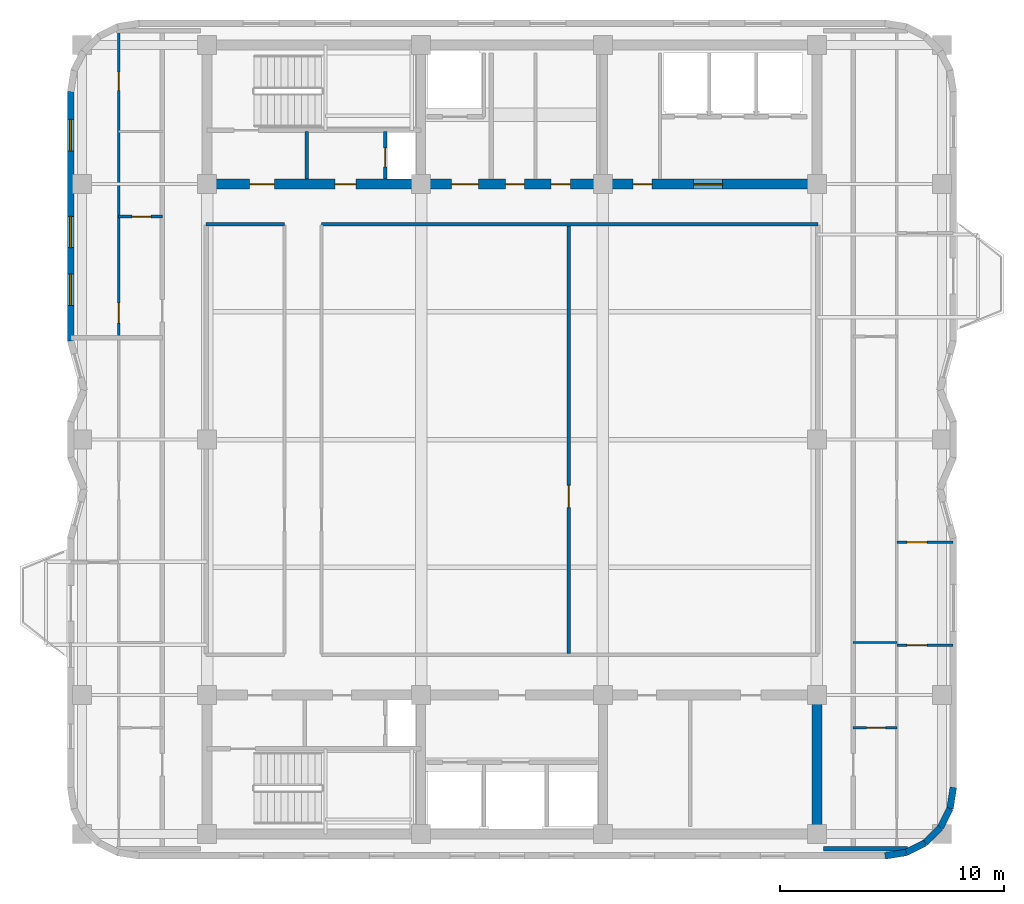
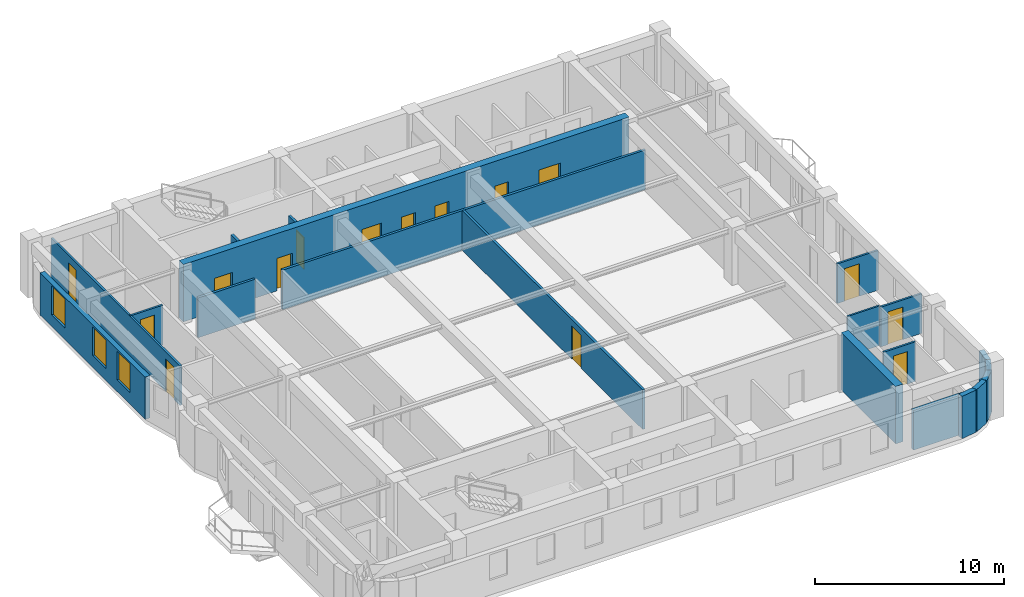
# One storey, part 4 of 8: 20 walls, 15 doors, 3 windows, 18 openings.
"""IFC4 building model written with IfcOpenShell, lengths in metres."""

from ifc_helpers import new_model, si_unit, direction, frame, frame_2d, origin, place, context, subcontext, project, spatial, rectangle, extrude, material, layer, layer_set, type_object, element, fill, save


model = new_model("IFC4")

# Units and contexts
model_context = context("Model", 3, precision=1e-05, world=origin(), true_north=direction((0.0, 1.0)))
body_context = subcontext(model_context, "Body", "Model", "MODEL_VIEW")
ifc_project = project(units=[si_unit("LENGTHUNIT", "METRE"), si_unit("AREAUNIT", "SQUARE_METRE"), si_unit("VOLUMEUNIT", "CUBIC_METRE"), si_unit("PLANEANGLEUNIT", "RADIAN"), si_unit("MASSUNIT", "GRAM", prefix="KILO")], contexts=[model_context])

# Site, building, storey
site_placement = place(None, origin())
site = spatial("IfcSite", under=ifc_project, at=site_placement, CompositionType="ELEMENT")
building_placement = place(site_placement, origin())
building = spatial("IfcBuilding", under=site, at=building_placement, Name="Svetorya Sky Lyceum", CompositionType="ELEMENT")
storey_placement = place(building_placement, frame((0.0, 0.0, 251.699951171875)))
storey = spatial("IfcBuildingStorey", under=building, at=storey_placement, Name="L63", CompositionType="ELEMENT", Elevation=251.699951171875)

# Wall
ifc_material_1 = material(Name="Concrete C50/60", Category="concrete")
ifc_layer_1 = layer(ifc_material_1, 0.449951171875)
ifc_layer_set_1 = layer_set([ifc_layer_1], Name="Concrete C50/60")
wall_type_1 = type_object("IfcWallType", Name="WL-CORE-450", PredefinedType="SHEAR", material=ifc_layer_set_1)
wall_1_placement = place(storey_placement, frame((52.800048828125, 10.824951171875, 0.0), z_axis=(0.0, 0.0, 1.0), x_axis=(0.0, 1.0, 0.0)))
element("IfcWall", 1, at=wall_1_placement, inside=storey, type_object=wall_type_1, Name="L63 SC East Core Shear Wall", PredefinedType="SHEAR", context=body_context, shape_type="SweptSolid", body=[
    extrude(rectangle(XDim=5.75, YDim=0.449951171875, at=frame_2d((2.875, 0.0))), origin(), (0.0, 0.0, 1.0), 3.699951171875),
])

# Wall, openings, doors
wall_2_placement = place(storey_placement, frame((52.800048828125, 39.60009765625, 0.0), z_axis=(0.0, 0.0, 1.0), x_axis=(-1.0, 0.0, 0.0)))
wall_2 = element("IfcWall", 2, at=wall_2_placement, inside=storey, type_object=wall_type_1, Name="L63 NC Inner Core Shear Wall", PredefinedType="SHEAR", context=body_context, shape_type="SweptSolid", body=[
    extrude(rectangle(XDim=27.199951171875, YDim=0.449951171875, at=frame_2d((13.60009765625, 0.0))), origin(), (0.0, 0.0, 1.0), 3.699951171875),
])
opening_1_placement = place(wall_2_placement, frame((24.199951171875, 0.0, 0.0)))
opening_1 = element("IfcOpeningElement", 3, at=opening_1_placement, cuts=wall_2, Name="Opening D-ST1", PredefinedType="OPENING", context=body_context, shape_type="SweptSolid", body=[
    extrude(rectangle(XDim=1.10009765625, YDim=2.14990234375, at=frame_2d((0.550048828125, 1.074951171875))), frame((0.0, 0.23486328125, 0.0), z_axis=(0.0, -1.0, 0.0), x_axis=(1.0, 0.0, 0.0)), (0.0, 0.0, 1.0), 0.469970703125),
])
opening_2_placement = place(wall_2_placement, frame((20.550048828125, 0.0, 0.0)))
opening_2 = element("IfcOpeningElement", 4, at=opening_2_placement, cuts=wall_2, Name="Opening D-CAC1", PredefinedType="OPENING", context=body_context, shape_type="SweptSolid", body=[
    extrude(rectangle(XDim=0.949951171875, YDim=2.10009765625, at=frame_2d((0.47509765625, 1.050048828125))), frame((0.0, 0.23486328125, 0.0), z_axis=(0.0, -1.0, 0.0), x_axis=(1.0, 0.0, 0.0)), (0.0, 0.0, 1.0), 0.469970703125),
])
opening_3_placement = place(wall_2_placement, frame((15.10009765625, 0.0, 0.0)))
opening_3 = element("IfcOpeningElement", 5, at=opening_3_placement, cuts=wall_2, Name="Opening D-FL1", PredefinedType="OPENING", context=body_context, shape_type="SweptSolid", body=[
    extrude(rectangle(XDim=1.199951171875, YDim=2.14990234375, at=frame_2d((0.60009765625, 1.074951171875))), frame((0.0, 0.23486328125, 0.0), z_axis=(0.0, -1.0, 0.0), x_axis=(1.0, 0.0, 0.0)), (0.0, 0.0, 1.0), 0.469970703125),
])
opening_4_placement = place(wall_2_placement, frame((13.050048828125, 0.0, 0.0)))
opening_4 = element("IfcOpeningElement", 6, at=opening_4_placement, cuts=wall_2, Name="Opening D-CWC1", PredefinedType="OPENING", context=body_context, shape_type="SweptSolid", body=[
    extrude(rectangle(XDim=0.85009765625, YDim=2.10009765625, at=frame_2d((0.425048828125, 1.050048828125))), frame((0.0, 0.23486328125, 0.0), z_axis=(0.0, -1.0, 0.0), x_axis=(1.0, 0.0, 0.0)), (0.0, 0.0, 1.0), 0.469970703125),
])
opening_5_placement = place(wall_2_placement, frame((11.0, 0.0, 0.0)))
opening_5 = element("IfcOpeningElement", 7, at=opening_5_placement, cuts=wall_2, Name="Opening D-CWC1", PredefinedType="OPENING", context=body_context, shape_type="SweptSolid", body=[
    extrude(rectangle(XDim=0.85009765625, YDim=2.10009765625, at=frame_2d((0.425048828125, 1.050048828125))), frame((0.0, 0.23486328125, 0.0), z_axis=(0.0, -1.0, 0.0), x_axis=(1.0, 0.0, 0.0)), (0.0, 0.0, 1.0), 0.469970703125),
])
opening_6_placement = place(wall_2_placement, frame((7.35009765625, 0.0, 0.0)))
opening_6 = element("IfcOpeningElement", 8, at=opening_6_placement, cuts=wall_2, Name="Opening D-CWC1", PredefinedType="OPENING", context=body_context, shape_type="SweptSolid", body=[
    extrude(rectangle(XDim=0.85009765625, YDim=2.10009765625, at=frame_2d((0.425048828125, 1.050048828125))), frame((0.0, 0.23486328125, 0.0), z_axis=(0.0, -1.0, 0.0), x_axis=(1.0, 0.0, 0.0)), (0.0, 0.0, 1.0), 0.469970703125),
])
opening_7_placement = place(wall_2_placement, frame((4.199951171875, 0.0, 0.0)))
opening_7 = element("IfcOpeningElement", 9, at=opening_7_placement, cuts=wall_2, Name="Opening D-LB1", PredefinedType="OPENING", context=body_context, shape_type="SweptSolid", body=[
    extrude(rectangle(XDim=1.300048828125, YDim=2.199951171875, at=frame_2d((0.64990234375, 1.10009765625))), frame((0.0, 0.23486328125, 0.0), z_axis=(0.0, -1.0, 0.0), x_axis=(1.0, 0.0, 0.0)), (0.0, 0.0, 1.0), 0.469970703125),
])
ifc_material_2 = material(Name="Fire-rated galvanized steel core accessible WC door", Category="steel")
door_type_1 = type_object("IfcDoorType", Name="DR-CACC-950", OperationType="SINGLE_SWING_LEFT", PredefinedType="DOOR", material=ifc_material_2)
door_1_placement = place(opening_2_placement, origin())
door_1 = element("IfcDoor", 10, at=door_1_placement, inside=storey, type_object=door_type_1, Name="L63 North Core Accessible WC Door", OperationType="SINGLE_SWING_RIGHT", OverallHeight=2.10009765625, OverallWidth=0.949951171875, PredefinedType="DOOR", context=body_context, shape_type="SweptSolid", body=[
    extrude(rectangle(XDim=0.949951171875, YDim=2.10009765625, at=frame_2d((0.47509765625, 1.050048828125))), frame((0.0, 0.02490234375, 0.0), z_axis=(0.0, -1.0, 0.0), x_axis=(1.0, 0.0, 0.0)), (0.0, 0.0, 1.0), 0.050048828125),
])
fill(opening_2, door_1)
ifc_material_3 = material(Name="Fire-rated galvanized steel core service closet door", Category="steel")
door_type_2 = type_object("IfcDoorType", Name="DR-CWET-850", OperationType="SINGLE_SWING_LEFT", PredefinedType="DOOR", material=ifc_material_3)
door_2_placement = place(opening_4_placement, origin())
door_2 = element("IfcDoor", 11, at=door_2_placement, inside=storey, type_object=door_type_2, Name="L63 Upper Linen Door", OperationType="SINGLE_SWING_LEFT", OverallHeight=2.10009765625, OverallWidth=0.85009765625, PredefinedType="DOOR", context=body_context, shape_type="SweptSolid", body=[
    extrude(rectangle(XDim=0.85009765625, YDim=2.10009765625, at=frame_2d((0.425048828125, 1.050048828125))), frame((0.0, 0.02490234375, 0.0), z_axis=(0.0, -1.0, 0.0), x_axis=(1.0, 0.0, 0.0)), (0.0, 0.0, 1.0), 0.050048828125),
])
fill(opening_4, door_2)
door_3_placement = place(opening_5_placement, origin())
door_3 = element("IfcDoor", 12, at=door_3_placement, inside=storey, type_object=door_type_2, Name="L63 Upper Laundry Door", OperationType="SINGLE_SWING_RIGHT", OverallHeight=2.10009765625, OverallWidth=0.85009765625, PredefinedType="DOOR", context=body_context, shape_type="SweptSolid", body=[
    extrude(rectangle(XDim=0.85009765625, YDim=2.10009765625, at=frame_2d((0.425048828125, 1.050048828125))), frame((0.0, 0.02490234375, 0.0), z_axis=(0.0, -1.0, 0.0), x_axis=(1.0, 0.0, 0.0)), (0.0, 0.0, 1.0), 0.050048828125),
])
fill(opening_5, door_3)
door_4_placement = place(opening_6_placement, origin())
door_4 = element("IfcDoor", 13, at=door_4_placement, inside=storey, type_object=door_type_2, Name="L63 High-Zone Utility Room Door", OperationType="SINGLE_SWING_LEFT", OverallHeight=2.10009765625, OverallWidth=0.85009765625, PredefinedType="DOOR", context=body_context, shape_type="SweptSolid", body=[
    extrude(rectangle(XDim=0.85009765625, YDim=2.10009765625, at=frame_2d((0.425048828125, 1.050048828125))), frame((0.0, 0.02490234375, 0.0), z_axis=(0.0, -1.0, 0.0), x_axis=(1.0, 0.0, 0.0)), (0.0, 0.0, 1.0), 0.050048828125),
])
fill(opening_6, door_4)
ifc_material_4 = material(Name="Powder-coated insulated galvanized stair fire door")
door_type_3 = type_object("IfcDoorType", Name="DR-FIRE-1100", OperationType="SINGLE_SWING_LEFT", PredefinedType="DOOR", material=ifc_material_4)
door_5_placement = place(opening_1_placement, origin())
door_5 = element("IfcDoor", 14, at=door_5_placement, inside=storey, type_object=door_type_3, Name="L63 North Stair Airlock Door", OperationType="SINGLE_SWING_LEFT", OverallHeight=2.14990234375, OverallWidth=1.10009765625, PredefinedType="DOOR", context=body_context, shape_type="SweptSolid", body=[
    extrude(rectangle(XDim=1.10009765625, YDim=2.14990234375, at=frame_2d((0.550048828125, 1.074951171875))), frame((0.0, 0.02490234375, 0.0), z_axis=(0.0, -1.0, 0.0), x_axis=(1.0, 0.0, 0.0)), (0.0, 0.0, 1.0), 0.050048828125),
])
fill(opening_1, door_5)
ifc_material_5 = material(Name="Powder-coated insulated galvanized fire door")
door_type_4 = type_object("IfcDoorType", Name="DR-FIRE-1200", OperationType="SINGLE_SWING_LEFT", PredefinedType="DOOR", material=ifc_material_5)
door_6_placement = place(opening_3_placement, origin())
door_6 = element("IfcDoor", 15, at=door_6_placement, inside=storey, type_object=door_type_4, Name="L63 North Firefighting Lift Lobby Door", OperationType="SINGLE_SWING_RIGHT", OverallHeight=2.14990234375, OverallWidth=1.199951171875, PredefinedType="DOOR", context=body_context, shape_type="SweptSolid", body=[
    extrude(rectangle(XDim=1.199951171875, YDim=2.14990234375, at=frame_2d((0.60009765625, 1.074951171875))), frame((0.0, 0.02490234375, 0.0), z_axis=(0.0, -1.0, 0.0), x_axis=(1.0, 0.0, 0.0)), (0.0, 0.0, 1.0), 0.050048828125),
])
fill(opening_3, door_6)
ifc_material_6 = material(Name="Glazed fire-rated aluminium lobby door", Category="aluminium")
door_type_5 = type_object("IfcDoorType", Name="DR-LOB-1300", OperationType="SINGLE_SWING_LEFT", PredefinedType="DOOR", material=ifc_material_6)
door_7_placement = place(opening_7_placement, origin())
door_7 = element("IfcDoor", 16, at=door_7_placement, inside=storey, type_object=door_type_5, Name="L63 North Passenger Lift Lobby Door", OperationType="SINGLE_SWING_LEFT", OverallHeight=2.199951171875, OverallWidth=1.300048828125, PredefinedType="DOOR", context=body_context, shape_type="SweptSolid", body=[
    extrude(rectangle(XDim=1.300048828125, YDim=2.199951171875, at=frame_2d((0.64990234375, 1.10009765625))), frame((0.0, 0.02490234375, 0.0), z_axis=(0.0, -1.0, 0.0), x_axis=(1.0, 0.0, 0.0)), (0.0, 0.0, 1.0), 0.050048828125),
])
fill(opening_7, door_7)

# Walls
ifc_material_7 = material(Name="Putilovo limestone rainscreen on autoclaved cellular masonry", Category="masonry")
ifc_layer_2 = layer(ifc_material_7, 0.300048828125)
ifc_layer_set_2 = layer_set([ifc_layer_2], Name="Putilovo limestone rainscreen on autoclaved cellular masonry")
wall_type_2 = type_object("IfcWallType", Name="WL-EXT-300", PredefinedType="SOLIDWALL", material=ifc_layer_set_2)
wall_3_placement = place(storey_placement, frame((55.840087890625, 9.6298828125, 0.0), z_axis=(0.0, 0.0, 1.0), x_axis=(0.987663181641, 0.156593229835, 0.0)))
element("IfcWall", 17, at=wall_3_placement, inside=storey, type_object=wall_type_2, Name="L63 Limestone Exterior Wall 7M", PredefinedType="SOLIDWALL", context=body_context, shape_type="SweptSolid", body=[
    extrude(rectangle(XDim=0.9541015625, YDim=0.300048828125, at=frame_2d((0.47705078125, 0.0))), origin(), (0.0, 0.0, 1.0), 2.72998046875),
])
for number, where, z_axis, x_axis, name in (
    (18, (56.782470703125, 9.779296875, 0.0), (0.0, 0.0, 1.0), (0.891076589373, 0.453852962833, 0.0), "L63 Limestone Exterior Wall 8M"),
    (19, (57.6328125, 10.21240234375, 0.0), (0.0, 0.0, 1.0), (0.707106781187, 0.707106781187, 0.0), "L63 Limestone Exterior Wall 9M"),
    (20, (58.3076171875, 10.88720703125, 0.0), (0.0, 0.0, 1.0), (0.453852962833, 0.891076589373, 0.0), "L63 Limestone Exterior Wall 10M"),
):
    element("IfcWall", number, at=place(storey_placement, frame(where, z_axis=z_axis, x_axis=x_axis)), inside=storey, type_object=wall_type_2, Name=name, PredefinedType="SOLIDWALL", context=body_context, shape_type="SweptSolid", body=[
        extrude(rectangle(XDim=0.954345703125, YDim=0.300048828125, at=frame_2d((0.47705078125, 0.0))), origin(), (0.0, 0.0, 1.0), 2.72998046875),
    ])
wall_4_placement = place(storey_placement, frame((58.74072265625, 11.737548828125, 0.0), z_axis=(0.0, 0.0, 1.0), x_axis=(0.156343617883, 0.987702725088, 0.0)))
element("IfcWall", 21, at=wall_4_placement, inside=storey, type_object=wall_type_2, Name="L63 Limestone Exterior Wall 11M", PredefinedType="SOLIDWALL", context=body_context, shape_type="SweptSolid", body=[
    extrude(rectangle(XDim=0.9541015625, YDim=0.300048828125, at=frame_2d((0.47705078125, 0.0))), origin(), (0.0, 0.0, 1.0), 2.72998046875),
])

# Wall, openings, windows
wall_5_placement = place(storey_placement, frame((19.510009765625, 43.719970703125, 0.0), z_axis=(0.0, 0.0, 1.0), x_axis=(0.0, -1.0, 0.0)))
wall_5 = element("IfcWall", 22, at=wall_5_placement, inside=storey, type_object=wall_type_2, Name="L63 Limestone Exterior Wall 30M", PredefinedType="SOLIDWALL", context=body_context, shape_type="SweptSolid", body=[
    extrude(rectangle(XDim=11.119873046875, YDim=0.300048828125, at=frame_2d((5.56005859375, 0.0))), origin(), (0.0, 0.0, 1.0), 2.72998046875),
])
opening_8_placement = place(wall_5_placement, frame((1.23681640625, 0.0, 0.760009765625)))
opening_8 = element("IfcOpeningElement", 23, at=opening_8_placement, cuts=wall_5, Name="Opening W-R2", PredefinedType="OPENING", context=body_context, shape_type="SweptSolid", body=[
    extrude(rectangle(XDim=1.39990234375, YDim=1.85009765625, at=frame_2d((0.699951171875, 0.925048828125))), frame((0.0, 0.159912109375, 0.0), z_axis=(0.0, -1.0, 0.0), x_axis=(1.0, 0.0, 0.0)), (0.0, 0.0, 1.0), 0.320068359375),
])
opening_9_placement = place(wall_5_placement, frame((5.56005859375, 0.0, 0.760009765625)))
opening_9 = element("IfcOpeningElement", 24, at=opening_9_placement, cuts=wall_5, Name="Opening W-R2", PredefinedType="OPENING", context=body_context, shape_type="SweptSolid", body=[
    extrude(rectangle(XDim=1.39990234375, YDim=1.85009765625, at=frame_2d((0.699951171875, 0.925048828125))), frame((0.0, 0.159912109375, 0.0), z_axis=(0.0, -1.0, 0.0), x_axis=(1.0, 0.0, 0.0)), (0.0, 0.0, 1.0), 0.320068359375),
])
opening_10_placement = place(wall_5_placement, frame((8.13330078125, 0.0, 0.760009765625)))
opening_10 = element("IfcOpeningElement", 25, at=opening_10_placement, cuts=wall_5, Name="Opening W-R2", PredefinedType="OPENING", context=body_context, shape_type="SweptSolid", body=[
    extrude(rectangle(XDim=1.39990234375, YDim=1.85009765625, at=frame_2d((0.699951171875, 0.925048828125))), frame((0.0, 0.159912109375, 0.0), z_axis=(0.0, -1.0, 0.0), x_axis=(1.0, 0.0, 0.0)), (0.0, 0.0, 1.0), 0.320068359375),
])
ifc_material_8 = material(Name="Thermally broken aluminium frame with triple low-E glazing", Category="aluminium")
window_type = type_object("IfcWindowType", Name="WN-RES-140", PartitioningType="SINGLE_PANEL", PredefinedType="WINDOW", material=ifc_material_8)
window_1_placement = place(opening_8_placement, origin())
window_1 = element("IfcWindow", 26, at=window_1_placement, inside=storey, type_object=window_type, Name="L63 Facade Window W-R2.30M.1", OverallHeight=1.85009765625, OverallWidth=1.39990234375, PartitioningType="SINGLE_PANEL", PredefinedType="WINDOW", context=body_context, shape_type="SweptSolid", body=[
    extrude(rectangle(XDim=1.39990234375, YDim=1.85009765625, at=frame_2d((0.699951171875, 0.925048828125))), frame((0.0, 0.030029296875, 0.0), z_axis=(0.0, -1.0, 0.0), x_axis=(1.0, 0.0, 0.0)), (0.0, 0.0, 1.0), 0.06005859375),
])
fill(opening_8, window_1)
window_2_placement = place(opening_9_placement, origin())
window_2 = element("IfcWindow", 27, at=window_2_placement, inside=storey, type_object=window_type, Name="L63 Facade Window W-R2.30M.2", OverallHeight=1.85009765625, OverallWidth=1.39990234375, PartitioningType="SINGLE_PANEL", PredefinedType="WINDOW", context=body_context, shape_type="SweptSolid", body=[
    extrude(rectangle(XDim=1.39990234375, YDim=1.85009765625, at=frame_2d((0.699951171875, 0.925048828125))), frame((0.0, 0.030029296875, 0.0), z_axis=(0.0, -1.0, 0.0), x_axis=(1.0, 0.0, 0.0)), (0.0, 0.0, 1.0), 0.06005859375),
])
fill(opening_9, window_2)
window_3_placement = place(opening_10_placement, origin())
window_3 = element("IfcWindow", 28, at=window_3_placement, inside=storey, type_object=window_type, Name="L63 Facade Window W-R2.30M.3", OverallHeight=1.85009765625, OverallWidth=1.39990234375, PartitioningType="SINGLE_PANEL", PredefinedType="WINDOW", context=body_context, shape_type="SweptSolid", body=[
    extrude(rectangle(XDim=1.39990234375, YDim=1.85009765625, at=frame_2d((0.699951171875, 0.925048828125))), frame((0.0, 0.030029296875, 0.0), z_axis=(0.0, -1.0, 0.0), x_axis=(1.0, 0.0, 0.0)), (0.0, 0.0, 1.0), 0.06005859375),
])
fill(opening_10, window_3)

# Wall
ifc_material_9 = material(Name="Galvanized stud partition with moisture-resistant board", Category="gypsum")
ifc_layer_3 = layer(ifc_material_9, 0.10009765625)
ifc_layer_set_3 = layer_set([ifc_layer_3], Name="Galvanized stud partition with moisture-resistant board")
wall_type_3 = type_object("IfcWallType", Name="WL-PART-100", PredefinedType="PARTITIONING", material=ifc_layer_set_3)
wall_6_placement = place(storey_placement, frame((54.419921875, 19.14990234375, 0.0), z_axis=(0.0, 0.0, 1.0), x_axis=(1.0, 0.0, 0.0)))
element("IfcWall", 29, at=wall_6_placement, inside=storey, type_object=wall_type_3, Name="L63 Interior Partition E1-WH2", PredefinedType="PARTITIONING", context=body_context, shape_type="SweptSolid", body=[
    extrude(rectangle(XDim=1.9501953125, YDim=0.10009765625, at=frame_2d((0.97509765625, 0.0))), origin(), (0.0, 0.0, 1.0), 2.56005859375),
])

# Wall, opening, door
ifc_material_10 = material(Name="Twin-stud galvanized framing with double fireboard", Category="gypsum")
ifc_layer_4 = layer(ifc_material_10, 0.1201171875)
ifc_layer_set_4 = layer_set([ifc_layer_4], Name="Twin-stud galvanized framing with double fireboard")
wall_type_4 = type_object("IfcWallType", Name="WL-PART-120", PredefinedType="PARTITIONING", material=ifc_layer_set_4)
wall_7_placement = place(storey_placement, frame((21.64990234375, 38.14990234375, 0.0), z_axis=(0.0, 0.0, 1.0), x_axis=(1.0, 0.0, 0.0)))
wall_7 = element("IfcWall", 30, at=wall_7_placement, inside=storey, type_object=wall_type_4, Name="L63 Interior Partition W2-WH1", PredefinedType="PARTITIONING", context=body_context, shape_type="SweptSolid", body=[
    extrude(rectangle(XDim=1.9501953125, YDim=0.1201171875, at=frame_2d((0.97509765625, 0.0))), origin(), (0.0, 0.0, 1.0), 2.56005859375),
])
opening_11_placement = place(wall_7_placement, frame((0.60009765625, 0.0, 0.0)))
opening_11 = element("IfcOpeningElement", 31, at=opening_11_placement, cuts=wall_7, Name="Opening D-BT1", PredefinedType="OPENING", context=body_context, shape_type="SweptSolid", body=[
    extrude(rectangle(XDim=0.85009765625, YDim=2.10009765625, at=frame_2d((0.425048828125, 1.050048828125))), frame((0.0, 0.070068359375, 0.0), z_axis=(0.0, -1.0, 0.0), x_axis=(1.0, 0.0, 0.0)), (0.0, 0.0, 1.0), 0.14013671875),
])
ifc_material_11 = material(Name="Moisture-resistant laminate bathroom door")
door_type_6 = type_object("IfcDoorType", Name="DR-WET-850", OperationType="SINGLE_SWING_LEFT", PredefinedType="DOOR", material=ifc_material_11)
door_8_placement = place(opening_11_placement, origin())
door_8 = element("IfcDoor", 32, at=door_8_placement, inside=storey, type_object=door_type_6, Name="Apartment W2 Bathroom Door", OperationType="SINGLE_SWING_RIGHT", OverallHeight=2.10009765625, OverallWidth=0.85009765625, PredefinedType="DOOR", context=body_context, shape_type="SweptSolid", body=[
    extrude(rectangle(XDim=0.85009765625, YDim=2.10009765625, at=frame_2d((0.425048828125, 1.050048828125))), frame((0.0, 0.02490234375, 0.0), z_axis=(0.0, -1.0, 0.0), x_axis=(1.0, 0.0, 0.0)), (0.0, 0.0, 1.0), 0.050048828125),
])
fill(opening_11, door_8)

# Wall, openings, doors
wall_8_placement = place(storey_placement, frame((21.64990234375, 32.7900390625, 0.0), z_axis=(0.0, 0.0, 1.0), x_axis=(0.0, 1.0, 0.0)))
wall_8 = element("IfcWall", 33, at=wall_8_placement, inside=storey, type_object=wall_type_4, Name="L63 Interior Partition W2-WV", PredefinedType="PARTITIONING", context=body_context, shape_type="SweptSolid", body=[
    extrude(rectangle(XDim=13.619873046875, YDim=0.1201171875, at=frame_2d((6.81005859375, 0.0))), origin(), (0.0, 0.0, 1.0), 2.56005859375),
])
opening_12_placement = place(wall_8_placement, frame((0.610107421875, 0.0, 0.0)))
opening_12 = element("IfcOpeningElement", 34, at=opening_12_placement, cuts=wall_8, Name="Opening D-RM1", PredefinedType="OPENING", context=body_context, shape_type="SweptSolid", body=[
    extrude(rectangle(XDim=0.89990234375, YDim=2.10009765625, at=frame_2d((0.449951171875, 1.050048828125))), frame((0.0, 0.070068359375, 0.0), z_axis=(0.0, -1.0, 0.0), x_axis=(1.0, 0.0, 0.0)), (0.0, 0.0, 1.0), 0.14013671875),
])
opening_13_placement = place(wall_8_placement, frame((10.985107421875, 0.0, 0.0)))
opening_13 = element("IfcOpeningElement", 35, at=opening_13_placement, cuts=wall_8, Name="Opening D-BT2", PredefinedType="OPENING", context=body_context, shape_type="SweptSolid", body=[
    extrude(rectangle(XDim=0.820068359375, YDim=2.080078125, at=frame_2d((0.41015625, 1.0400390625))), frame((0.0, 0.070068359375, 0.0), z_axis=(0.0, -1.0, 0.0), x_axis=(1.0, 0.0, 0.0)), (0.0, 0.0, 1.0), 0.14013671875),
])
ifc_material_12 = material(Name="Lacquered birch veneer internal door")
door_type_7 = type_object("IfcDoorType", Name="DR-INT-900", OperationType="SINGLE_SWING_LEFT", PredefinedType="DOOR", material=ifc_material_12)
door_9_placement = place(opening_12_placement, origin())
door_9 = element("IfcDoor", 36, at=door_9_placement, inside=storey, type_object=door_type_7, Name="Apartment W2 Living Door", OperationType="SINGLE_SWING_LEFT", OverallHeight=2.10009765625, OverallWidth=0.89990234375, PredefinedType="DOOR", context=body_context, shape_type="SweptSolid", body=[
    extrude(rectangle(XDim=0.89990234375, YDim=2.10009765625, at=frame_2d((0.449951171875, 1.050048828125))), frame((0.0, 0.02490234375, 0.0), z_axis=(0.0, -1.0, 0.0), x_axis=(1.0, 0.0, 0.0)), (0.0, 0.0, 1.0), 0.050048828125),
])
fill(opening_12, door_9)
ifc_material_13 = material(Name="Compact moisture-resistant laminate closet door")
door_type_8 = type_object("IfcDoorType", Name="DR-WET-820", OperationType="SINGLE_SWING_LEFT", PredefinedType="DOOR", material=ifc_material_13)
door_10_placement = place(opening_13_placement, origin())
door_10 = element("IfcDoor", 37, at=door_10_placement, inside=storey, type_object=door_type_8, Name="Apartment W2 Study Door", OperationType="SINGLE_SWING_RIGHT", OverallHeight=2.080078125, OverallWidth=0.820068359375, PredefinedType="DOOR", context=body_context, shape_type="SweptSolid", body=[
    extrude(rectangle(XDim=0.820068359375, YDim=2.080078125, at=frame_2d((0.41015625, 1.0400390625))), frame((0.0, 0.02490234375, 0.0), z_axis=(0.0, -1.0, 0.0), x_axis=(1.0, 0.0, 0.0)), (0.0, 0.0, 1.0), 0.050048828125),
])
fill(opening_13, door_10)

# Wall, opening, door
wall_9_placement = place(storey_placement, frame((54.419921875, 15.35009765625, 0.0), z_axis=(0.0, 0.0, 1.0), x_axis=(1.0, 0.0, 0.0)))
wall_9 = element("IfcWall", 38, at=wall_9_placement, inside=storey, type_object=wall_type_4, Name="L63 Interior Partition E1-WH1", PredefinedType="PARTITIONING", context=body_context, shape_type="SweptSolid", body=[
    extrude(rectangle(XDim=1.9501953125, YDim=0.1201171875, at=frame_2d((0.97509765625, 0.0))), origin(), (0.0, 0.0, 1.0), 2.56005859375),
])
opening_14_placement = place(wall_9_placement, frame((0.60009765625, 0.0, 0.0)))
opening_14 = element("IfcOpeningElement", 39, at=opening_14_placement, cuts=wall_9, Name="Opening D-BT1", PredefinedType="OPENING", context=body_context, shape_type="SweptSolid", body=[
    extrude(rectangle(XDim=0.85009765625, YDim=2.10009765625, at=frame_2d((0.425048828125, 1.050048828125))), frame((0.0, 0.070068359375, 0.0), z_axis=(0.0, -1.0, 0.0), x_axis=(1.0, 0.0, 0.0)), (0.0, 0.0, 1.0), 0.14013671875),
])
door_11_placement = place(opening_14_placement, origin())
door_11 = element("IfcDoor", 40, at=door_11_placement, inside=storey, type_object=door_type_6, Name="Apartment E1 Bathroom Door", OperationType="SINGLE_SWING_RIGHT", OverallHeight=2.10009765625, OverallWidth=0.85009765625, PredefinedType="DOOR", context=body_context, shape_type="SweptSolid", body=[
    extrude(rectangle(XDim=0.85009765625, YDim=2.10009765625, at=frame_2d((0.425048828125, 1.050048828125))), frame((0.0, 0.02490234375, 0.0), z_axis=(0.0, -1.0, 0.0), x_axis=(1.0, 0.0, 0.0)), (0.0, 0.0, 1.0), 0.050048828125),
])
fill(opening_14, door_11)

wall_10_placement = place(storey_placement, frame((56.3701171875, 19.02001953125, 0.0), z_axis=(0.0, 0.0, 1.0), x_axis=(1.0, 0.0, 0.0)))
wall_10 = element("IfcWall", 41, at=wall_10_placement, inside=storey, type_object=wall_type_4, Name="L63 Interior Partition E1-WL1", PredefinedType="PARTITIONING", context=body_context, shape_type="SweptSolid", body=[
    extrude(rectangle(XDim=2.5, YDim=0.1201171875, at=frame_2d((1.25, 0.0))), origin(), (0.0, 0.0, 1.0), 2.56005859375),
])
opening_15_placement = place(wall_10_placement, frame((0.449951171875, 0.0, 0.0)))
opening_15 = element("IfcOpeningElement", 42, at=opening_15_placement, cuts=wall_10, Name="Opening D-RM1", PredefinedType="OPENING", context=body_context, shape_type="SweptSolid", body=[
    extrude(rectangle(XDim=0.89990234375, YDim=2.10009765625, at=frame_2d((0.449951171875, 1.050048828125))), frame((0.0, 0.070068359375, 0.0), z_axis=(0.0, -1.0, 0.0), x_axis=(1.0, 0.0, 0.0)), (0.0, 0.0, 1.0), 0.14013671875),
])
door_12_placement = place(opening_15_placement, origin())
door_12 = element("IfcDoor", 43, at=door_12_placement, inside=storey, type_object=door_type_7, Name="Apartment E1 Master Bedroom Door", OperationType="SINGLE_SWING_RIGHT", OverallHeight=2.10009765625, OverallWidth=0.89990234375, PredefinedType="DOOR", context=body_context, shape_type="SweptSolid", body=[
    extrude(rectangle(XDim=0.89990234375, YDim=2.10009765625, at=frame_2d((0.449951171875, 1.050048828125))), frame((0.0, 0.02490234375, 0.0), z_axis=(0.0, -1.0, 0.0), x_axis=(1.0, 0.0, 0.0)), (0.0, 0.0, 1.0), 0.050048828125),
])
fill(opening_15, door_12)

wall_11_placement = place(storey_placement, frame((56.3701171875, 23.6201171875, 0.0), z_axis=(0.0, 0.0, 1.0), x_axis=(1.0, 0.0, 0.0)))
wall_11 = element("IfcWall", 44, at=wall_11_placement, inside=storey, type_object=wall_type_4, Name="L63 Interior Partition E1-WL2", PredefinedType="PARTITIONING", context=body_context, shape_type="SweptSolid", body=[
    extrude(rectangle(XDim=2.5, YDim=0.1201171875, at=frame_2d((1.25, 0.0))), origin(), (0.0, 0.0, 1.0), 2.56005859375),
])
opening_16_placement = place(wall_11_placement, frame((0.449951171875, 0.0, 0.0)))
opening_16 = element("IfcOpeningElement", 45, at=opening_16_placement, cuts=wall_11, Name="Opening D-RM1", PredefinedType="OPENING", context=body_context, shape_type="SweptSolid", body=[
    extrude(rectangle(XDim=0.89990234375, YDim=2.10009765625, at=frame_2d((0.449951171875, 1.050048828125))), frame((0.0, 0.070068359375, 0.0), z_axis=(0.0, -1.0, 0.0), x_axis=(1.0, 0.0, 0.0)), (0.0, 0.0, 1.0), 0.14013671875),
])
door_13_placement = place(opening_16_placement, origin())
door_13 = element("IfcDoor", 46, at=door_13_placement, inside=storey, type_object=door_type_7, Name="Apartment E1 Bedroom 2 Door", OperationType="SINGLE_SWING_LEFT", OverallHeight=2.10009765625, OverallWidth=0.89990234375, PredefinedType="DOOR", context=body_context, shape_type="SweptSolid", body=[
    extrude(rectangle(XDim=0.89990234375, YDim=2.10009765625, at=frame_2d((0.449951171875, 1.050048828125))), frame((0.0, 0.02490234375, 0.0), z_axis=(0.0, -1.0, 0.0), x_axis=(1.0, 0.0, 0.0)), (0.0, 0.0, 1.0), 0.050048828125),
])
fill(opening_16, door_13)

ifc_material_14 = material(Name="Autoclaved cellular masonry blockwork with acoustic render", Category="masonry")
ifc_layer_5 = layer(ifc_material_14, 0.14990234375)
ifc_layer_set_5 = layer_set([ifc_layer_5], Name="Autoclaved cellular masonry blockwork with acoustic render")
wall_type_5 = type_object("IfcWallType", Name="WL-PART-150", PredefinedType="PARTITIONING", material=ifc_layer_set_5)
wall_12_placement = place(storey_placement, frame((33.550048828125, 39.820068359375, 0.0), z_axis=(0.0, 0.0, 1.0), x_axis=(0.0, 1.0, 0.0)))
wall_12 = element("IfcWall", 47, at=wall_12_placement, inside=storey, type_object=wall_type_5, Name="L63 Interior Partition NC-RSRW", PredefinedType="PARTITIONING", context=body_context, shape_type="SweptSolid", body=[
    extrude(rectangle(XDim=2.1298828125, YDim=0.14990234375, at=frame_2d((1.06494140625, 0.0))), origin(), (0.0, 0.0, 1.0), 2.56005859375),
])
opening_17_placement = place(wall_12_placement, frame((0.550048828125, 0.0, 0.0)))
opening_17 = element("IfcOpeningElement", 48, at=opening_17_placement, cuts=wall_12, Name="Opening D-SH1", PredefinedType="OPENING", context=body_context, shape_type="SweptSolid", body=[
    extrude(rectangle(XDim=0.85009765625, YDim=2.050048828125, at=frame_2d((0.425048828125, 1.02490234375))), frame((0.0, 0.0849609375, 0.0), z_axis=(0.0, -1.0, 0.0), x_axis=(1.0, 0.0, 0.0)), (0.0, 0.0, 1.0), 0.169921875),
])
ifc_material_15 = material(Name="Insulated galvanized riser inspection fire door")
door_type_9 = type_object("IfcDoorType", Name="DR-SHFT-850", OperationType="SINGLE_SWING_LEFT", PredefinedType="TRAPDOOR", material=ifc_material_15)
door_14_placement = place(opening_17_placement, origin())
door_14 = element("IfcDoor", 49, at=door_14_placement, inside=storey, type_object=door_type_9, Name="L63 North Riser Access Door", OperationType="SINGLE_SWING_LEFT", OverallHeight=2.050048828125, OverallWidth=0.85009765625, PredefinedType="TRAPDOOR", context=body_context, shape_type="SweptSolid", body=[
    extrude(rectangle(XDim=0.85009765625, YDim=2.050048828125, at=frame_2d((0.425048828125, 1.02490234375))), frame((0.0, 0.02490234375, 0.0), z_axis=(0.0, -1.0, 0.0), x_axis=(1.0, 0.0, 0.0)), (0.0, 0.0, 1.0), 0.050048828125),
])
fill(opening_17, door_14)

# Walls
wall_13_placement = place(storey_placement, frame((30.050048828125, 39.820068359375, 0.0), z_axis=(0.0, 0.0, 1.0), x_axis=(0.0, 1.0, 0.0)))
element("IfcWall", 50, at=wall_13_placement, inside=storey, type_object=wall_type_5, Name="L63 Interior Partition NC-NWD1", PredefinedType="PARTITIONING", context=body_context, shape_type="SweptSolid", body=[
    extrude(rectangle(XDim=2.1298828125, YDim=0.14990234375, at=frame_2d((1.06494140625, 0.0))), origin(), (0.0, 0.0, 1.0), 2.56005859375),
])
wall_14_placement = place(storey_placement, frame((25.550048828125, 37.800048828125, 0.0), z_axis=(0.0, 0.0, 1.0), x_axis=(1.0, 0.0, 0.0)))
element("IfcWall", 51, at=wall_14_placement, inside=storey, type_object=wall_type_5, Name="L63 Interior Partition OFF-CN-W", PredefinedType="PARTITIONING", context=body_context, shape_type="SweptSolid", body=[
    extrude(rectangle(XDim=3.5, YDim=0.14990234375, at=frame_2d((1.75, 0.0))), origin(), (0.0, 0.0, 1.0), 2.56005859375),
])
wall_15_placement = place(storey_placement, frame((30.699951171875, 37.800048828125, 0.0), z_axis=(0.0, 0.0, 1.0), x_axis=(1.0, 0.0, 0.0)))
element("IfcWall", 52, at=wall_15_placement, inside=storey, type_object=wall_type_5, Name="L63 Interior Partition OFF-CN-E", PredefinedType="PARTITIONING", context=body_context, shape_type="SweptSolid", body=[
    extrude(rectangle(XDim=22.150146484375, YDim=0.14990234375, at=frame_2d((11.0751953125, 0.0))), origin(), (0.0, 0.0, 1.0), 2.56005859375),
])

# Wall, opening, door
wall_16_placement = place(storey_placement, frame((41.735107421875, 18.659912109375, 0.0), z_axis=(0.0, 0.0, 1.0), x_axis=(0.0, 1.0, 0.0)))
wall_16 = element("IfcWall", 53, at=wall_16_placement, inside=storey, type_object=wall_type_5, Name="L63 Interior Partition OFF-VEMID", PredefinedType="PARTITIONING", context=body_context, shape_type="SweptSolid", body=[
    extrude(rectangle(XDim=19.080078125, YDim=0.14990234375, at=frame_2d((9.5400390625, 0.0))), origin(), (0.0, 0.0, 1.0), 2.56005859375),
])
opening_18_placement = place(wall_16_placement, frame((6.5, 0.0, 0.0)))
opening_18 = element("IfcOpeningElement", 54, at=opening_18_placement, cuts=wall_16, Name="Opening D-RM2", PredefinedType="OPENING", context=body_context, shape_type="SweptSolid", body=[
    extrude(rectangle(XDim=1.0, YDim=2.14990234375, at=frame_2d((0.5, 1.074951171875))), frame((0.0, 0.0849609375, 0.0), z_axis=(0.0, -1.0, 0.0), x_axis=(1.0, 0.0, 0.0)), (0.0, 0.0, 1.0), 0.169921875),
])
ifc_material_16 = material(Name="Solid-core oak acoustic room door")
door_type_10 = type_object("IfcDoorType", Name="DR-INT-1000", OperationType="SINGLE_SWING_LEFT", PredefinedType="DOOR", material=ifc_material_16)
door_15_placement = place(opening_18_placement, origin())
door_15 = element("IfcDoor", 55, at=door_15_placement, inside=storey, type_object=door_type_10, Name="L63 Recreation Door", OperationType="SINGLE_SWING_LEFT", OverallHeight=2.14990234375, OverallWidth=1.0, PredefinedType="DOOR", context=body_context, shape_type="SweptSolid", body=[
    extrude(rectangle(XDim=1.0, YDim=2.14990234375, at=frame_2d((0.5, 1.074951171875))), frame((0.0, 0.02490234375, 0.0), z_axis=(0.0, -1.0, 0.0), x_axis=(1.0, 0.0, 0.0)), (0.0, 0.0, 1.0), 0.050048828125),
])
fill(opening_18, door_15)

# Wall
ifc_material_17 = material(Name="Autoclaved cellular masonry blockwork with gypsum plaster", Category="masonry")
ifc_layer_6 = layer(ifc_material_17, 0.199951171875)
ifc_layer_set_6 = layer_set([ifc_layer_6], Name="Autoclaved cellular masonry blockwork with gypsum plaster")
wall_type_6 = type_object("IfcWallType", Name="WL-PART-200", PredefinedType="PARTITIONING", material=ifc_layer_set_6)
wall_17_placement = place(storey_placement, frame((53.10009765625, 9.949951171875, 0.0), z_axis=(0.0, 0.0, 1.0), x_axis=(1.0, 0.0, 0.0)))
element("IfcWall", 56, at=wall_17_placement, inside=storey, type_object=wall_type_6, Name="L63 Interior Partition E-CAP-S", PredefinedType="PARTITIONING", context=body_context, shape_type="SweptSolid", body=[
    extrude(rectangle(XDim=3.75390625, YDim=0.199951171875, at=frame_2d((1.876953125, 0.0))), origin(), (0.0, 0.0, 1.0), 2.56005859375),
])

save(model, "model.ifc")
